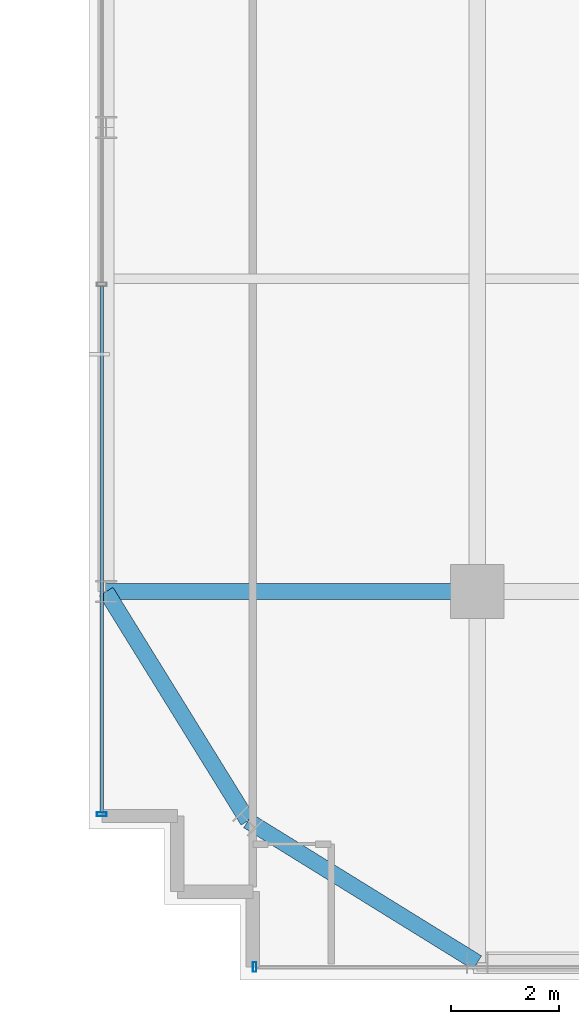
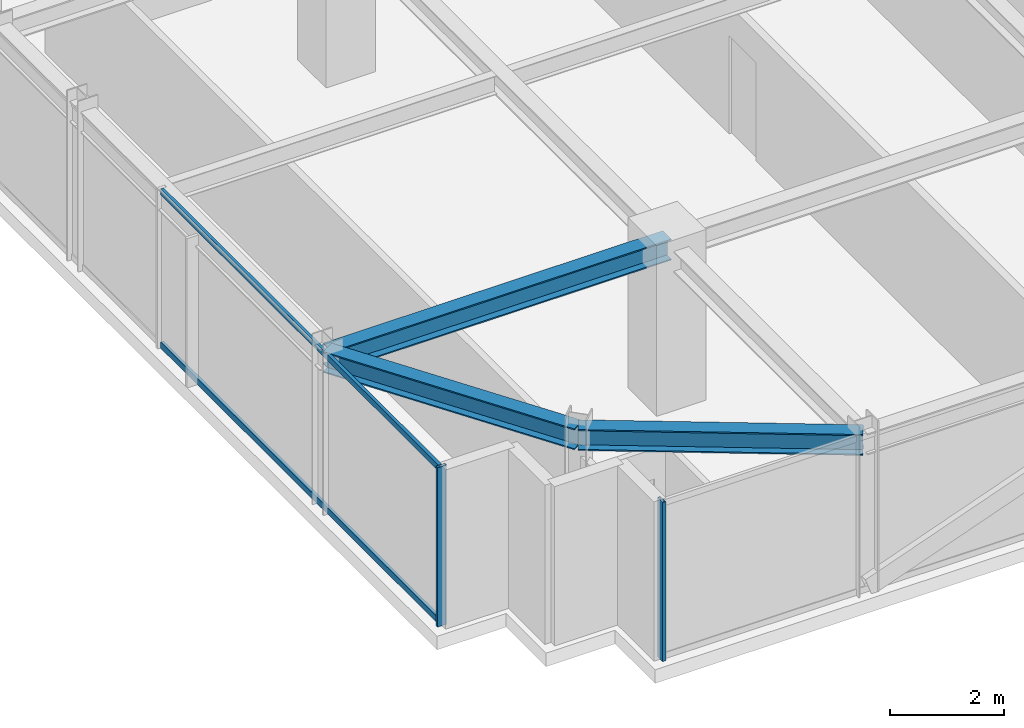
# One storey, part 4 of 36: 4 members, 3 beams, 2 elements without a shape of their own.
"""IFC4 building model written with IfcOpenShell, lengths in metres."""

from ifc_helpers import new_model, si_unit, direction, frame, origin, origin_2d, place, context, subcontext, project, spatial, hollow_rectangle, i_section, extrude, source, transform, mapped, material, material_profile, profile_set, type_object, element, aggregate, save


model = new_model("IFC4")

# Units and contexts
model_context = context("Model", 3, precision=1e-05, world=origin(), true_north=direction((0.0, 1.0)))
body_context = subcontext(model_context, "Body", "Model", "MODEL_VIEW")
ifc_project = project(units=[si_unit("LENGTHUNIT", "METRE"), si_unit("AREAUNIT", "SQUARE_METRE"), si_unit("VOLUMEUNIT", "CUBIC_METRE"), si_unit("PLANEANGLEUNIT", "RADIAN"), si_unit("MASSUNIT", "GRAM", prefix="KILO")], contexts=[model_context])

# Site, building, storey
site_placement = place(None, origin())
site = spatial("IfcSite", under=ifc_project, at=site_placement, CompositionType="ELEMENT")
building_placement = place(site_placement, origin())
building = spatial("IfcBuilding", under=site, at=building_placement, Name="Nahalor Promenade Grand Hotel", CompositionType="ELEMENT")
storey_placement = place(building_placement, frame((0.0, 0.0, 212.300048828125)))
storey = spatial("IfcBuildingStorey", under=building, at=storey_placement, Name="L54", CompositionType="ELEMENT", Elevation=212.300048828125)

# Beams
ifc_material_1 = material(Name="Steel S355JR", Category="steel")
ifc_material_profile_1 = material_profile(ifc_material_1, i_section(OverallWidth=0.3, OverallDepth=0.45, WebThickness=0.014, FlangeThickness=0.026, at=origin_2d()), Name="HEB 450")
ifc_profile_set_1 = profile_set([ifc_material_profile_1], Name="Steel S355JR")
beam_type_1 = type_object("IfcBeamType", Name="Beam-Spandrel-HEB450", PredefinedType="SPANDREL", material=ifc_profile_set_1)
shared_shape_1 = source(origin(), body_context, "Body", "SweptSolid", [
    extrude(i_section(OverallWidth=0.3, OverallDepth=0.45, WebThickness=0.014, FlangeThickness=0.026, at=origin_2d()), origin(), (0.0, 0.0, 1.0), 4.997802734375),
])
for number, where, z_axis, x_axis, name in (
    (1, (-17.0, -23.8798828125, 3.18505859375), (-0.850360908404, 0.526199891161, 0.0), (-0.526199891161, -0.850360908404, 0.0), "BM-L54-SPC-SW-1"),
    (2, (-21.25, -21.25, 3.18505859375), (-0.526199891161, 0.850360908404, 0.0), (-0.850360908404, -0.526199891161, 0.0), "BM-L54-SPC-SW-2"),
):
    element("IfcBeam", number, at=place(storey_placement, frame(where, z_axis=z_axis, x_axis=x_axis)), inside=storey, type_object=beam_type_1, Name=name, PredefinedType="SPANDREL", context=body_context, shape_type="MappedRepresentation", body=[
        mapped(shared_shape_1, transform((0.0, 0.0, 0.0), scale=1.0)),
    ])
ifc_material_profile_2 = material_profile(ifc_material_1, i_section(OverallWidth=0.3, OverallDepth=0.45, WebThickness=0.014, FlangeThickness=0.026, at=origin_2d()), Name="HEB 450")
ifc_profile_set_2 = profile_set([ifc_material_profile_2], Name="Steel S355JR")
beam_type_2 = type_object("IfcBeamType", Name="Beam-Girder-HEB450", PredefinedType="BEAM", material=ifc_profile_set_2)
shared_shape_2 = source(origin(), body_context, "Body", "SweptSolid", [
    extrude(i_section(OverallWidth=0.3, OverallDepth=0.45, WebThickness=0.014, FlangeThickness=0.026, at=origin_2d()), origin(), (0.0, 0.0, 1.0), 6.8798828125),
])
beam_placement = place(storey_placement, frame((-23.8798828125, -17.0, 3.18505859375), z_axis=(1.0, 0.0, 0.0), x_axis=(0.0, 1.0, 0.0)))
element("IfcBeam", 3, at=beam_placement, inside=storey, type_object=beam_type_2, Name="BM-L54-GX-0-0", PredefinedType="BEAM", context=body_context, shape_type="MappedRepresentation", body=[
    mapped(shared_shape_2, transform((0.0, 0.0, 0.0), scale=1.0)),
])

# Curtain wall, members
ifc_material_2 = material(Name="Anodised Bronze Aluminium EN AW-6063 T6", Category="aluminium")
curtain_wall_type = type_object("IfcCurtainWallType", Name="CW2 Typical Hotel Flush Bronze Unitised Curtain Wall", PredefinedType="USERDEFINED", material=ifc_material_2)
curtain_wall_1_placement = place(storey_placement, origin())
curtain_wall_1 = element("IfcCurtainWall", 4, at=curtain_wall_1_placement, inside=storey, type_object=curtain_wall_type, Name="L54 Curtain Wall CW-L54-W-1", ObjectType="UNITISED_CURTAIN_WALL", PredefinedType="USERDEFINED")
ifc_material_profile_3 = material_profile(ifc_material_2, hollow_rectangle(XDim=0.065, YDim=0.13, WallThickness=0.004, at=origin_2d()), Name="CWT 65x130x4")
ifc_profile_set_3 = profile_set([ifc_material_profile_3], Name="Anodised Bronze Aluminium EN AW-6063 T6")
member_type_1 = type_object("IfcMemberType", Name="CWT2 Typical Bronze Transom 65x130", PredefinedType="USERDEFINED", material=ifc_profile_set_3)
shared_shape_3 = source(origin(), body_context, "Body", "SweptSolid", [
    extrude(hollow_rectangle(XDim=0.065, YDim=0.13, WallThickness=0.004, at=origin_2d()), origin(), (0.0, 0.0, 1.0), 9.755859375),
])
member_1_placement = place(storey_placement, frame((-23.9599609375, -21.094970703125, 0.06494140625), z_axis=(0.0, 1.0, 0.0), x_axis=(-1.0, 0.0, 0.0)))
member_1 = element("IfcMember", 5, at=member_1_placement, type_object=member_type_1, Name="CW-L54-W-1 Transom 0-0", ObjectType="TRANSOM", PredefinedType="USERDEFINED", context=body_context, shape_type="MappedRepresentation", body=[
    mapped(shared_shape_3, transform((0.0, 0.0, 0.0), scale=1.0)),
])
member_2_placement = place(storey_placement, frame((-23.9599609375, -21.094970703125, 3.344970703125), z_axis=(0.0, 1.0, 0.0), x_axis=(-1.0, 0.0, 0.0)))
member_2 = element("IfcMember", 6, at=member_2_placement, type_object=member_type_1, Name="CW-L54-W-1 Transom 0-1", ObjectType="TRANSOM", PredefinedType="USERDEFINED", context=body_context, shape_type="MappedRepresentation", body=[
    mapped(shared_shape_3, transform((0.0, 0.0, 0.0), scale=1.0)),
])

# Curtain wall, member
curtain_wall_2_placement = place(storey_placement, origin())
curtain_wall_2 = element("IfcCurtainWall", 7, at=curtain_wall_2_placement, inside=storey, type_object=curtain_wall_type, Name="L54 Curtain Wall CW-L54-S-1", ObjectType="UNITISED_CURTAIN_WALL", PredefinedType="USERDEFINED")
ifc_material_profile_4 = material_profile(ifc_material_2, hollow_rectangle(XDim=0.065, YDim=0.18, WallThickness=0.004, at=origin_2d()), Name="CWM 65x180x4")
ifc_profile_set_4 = profile_set([ifc_material_profile_4], Name="Anodised Bronze Aluminium EN AW-6063 T6")
member_type_2 = type_object("IfcMemberType", Name="CWM2 Typical Bronze Mullion 65x180", PredefinedType="MULLION", material=ifc_profile_set_4)
shared_shape_4 = source(origin(), body_context, "Body", "SweptSolid", [
    extrude(hollow_rectangle(XDim=0.065, YDim=0.18, WallThickness=0.004, at=origin_2d()), origin(), (0.0, 0.0, 1.0), 3.409912109375),
])
member_3_placement = place(storey_placement, frame((-21.12744140625, -23.9599609375, 0.0), z_axis=(0.0, 0.0, 1.0), x_axis=(1.0, 0.0, 0.0)))
member_3 = element("IfcMember", 8, at=member_3_placement, type_object=member_type_2, Name="CW-L54-S-1 Mullion 0", PredefinedType="MULLION", context=body_context, shape_type="MappedRepresentation", body=[
    mapped(shared_shape_4, transform((0.0, 0.0, 0.0), scale=1.0)),
])
aggregate(curtain_wall_2, [member_3])

# Member
member_4_placement = place(storey_placement, frame((-23.9599609375, -21.12744140625, 0.0), z_axis=(0.0, 0.0, 1.0), x_axis=(0.0, 1.0, 0.0)))
member_4 = element("IfcMember", 9, at=member_4_placement, type_object=member_type_2, Name="CW-L54-W-1 Mullion 0", PredefinedType="MULLION", context=body_context, shape_type="MappedRepresentation", body=[
    mapped(shared_shape_4, transform((0.0, 0.0, 0.0), scale=1.0)),
])

aggregate(curtain_wall_1, [member_4, member_1, member_2])

save(model, "model.ifc")
